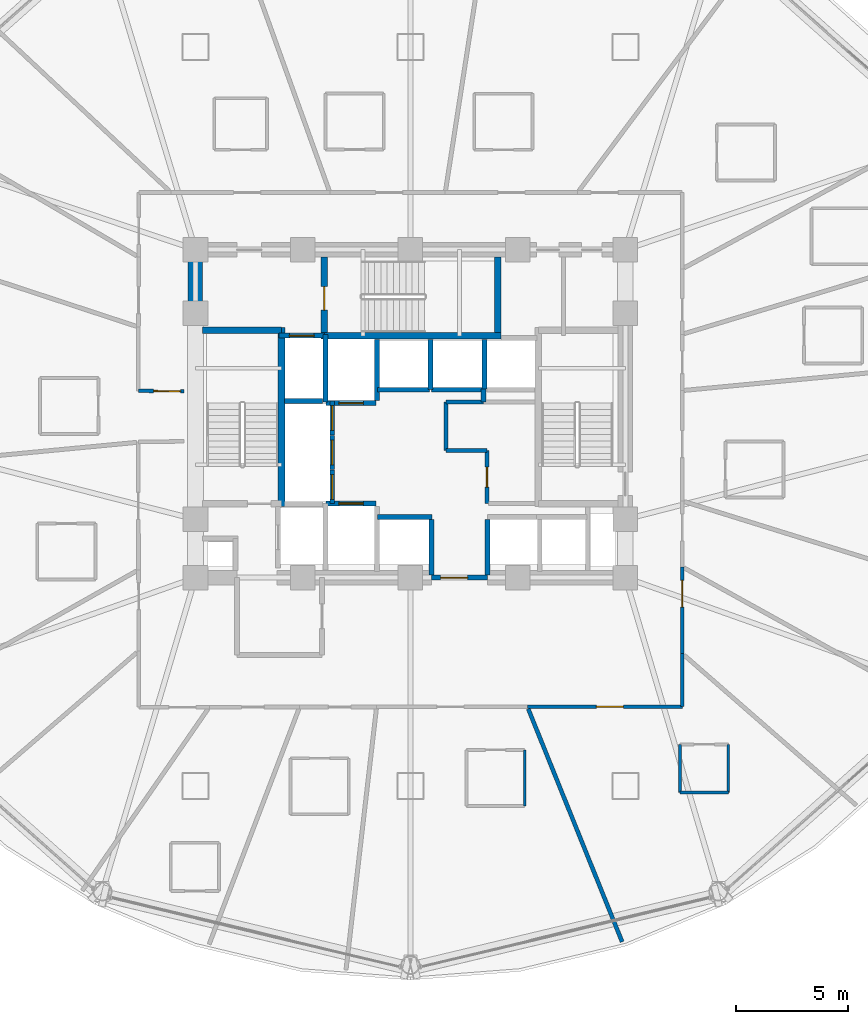
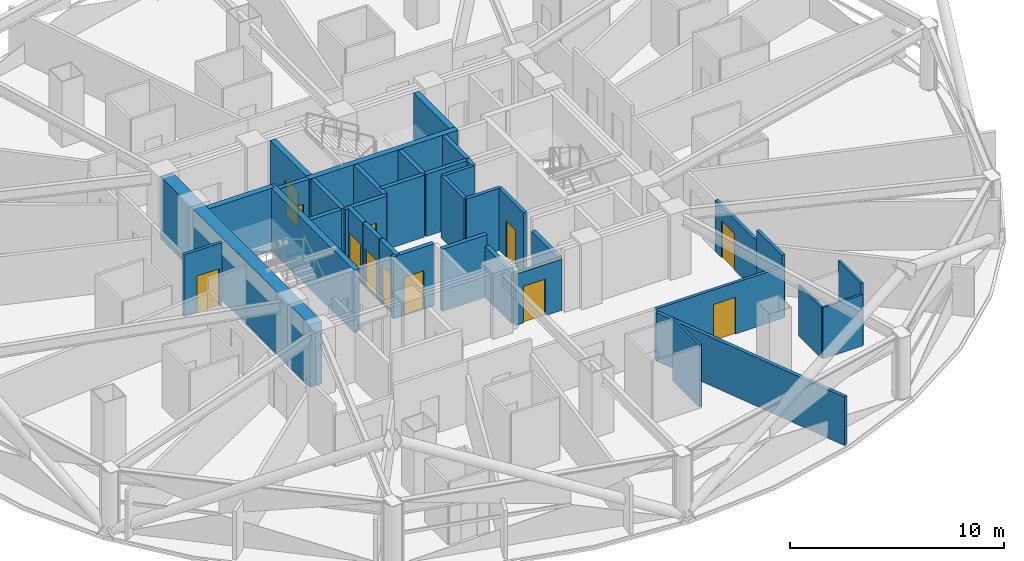
# One storey, part 23 of 30: 37 walls, 12 doors, 12 openings.
"""IFC4 building model written with IfcOpenShell, lengths in metres."""

from ifc_helpers import new_model, si_unit, direction, frame, frame_2d, origin, place, context, subcontext, project, spatial, rectangle, extrude, material, layer, layer_set, type_object, element, fill, save


model = new_model("IFC4")

# Units and contexts
model_context = context("Model", 3, precision=1e-05, world=origin(), true_north=direction((0.0, 1.0)))
body_context = subcontext(model_context, "Body", "Model", "MODEL_VIEW")
ifc_project = project(units=[si_unit("LENGTHUNIT", "METRE"), si_unit("AREAUNIT", "SQUARE_METRE"), si_unit("VOLUMEUNIT", "CUBIC_METRE"), si_unit("PLANEANGLEUNIT", "RADIAN"), si_unit("MASSUNIT", "GRAM", prefix="KILO")], contexts=[model_context])

# Site, building, storey
site_placement = place(None, origin())
site = spatial("IfcSite", under=ifc_project, at=site_placement, CompositionType="ELEMENT")
building_placement = place(site_placement, origin())
building = spatial("IfcBuilding", under=site, at=building_placement, Name="Vantalir Tower", CompositionType="ELEMENT")
storey_placement = place(building_placement, frame((0.0, 0.0, 79.5)))
storey = spatial("IfcBuildingStorey", under=building, at=storey_placement, Name="L19", CompositionType="ELEMENT", Elevation=79.5)

# Walls
ifc_material_1 = material(Name="Moisture-resistant en-suite partition", Category="gypsum")
ifc_layer_1 = layer(ifc_material_1, 0.125)
ifc_layer_set_1 = layer_set([ifc_layer_1], Name="Moisture-resistant en-suite partition")
wall_type_1 = type_object("IfcWallType", Name="WL-BATH-125", PredefinedType="PARTITIONING", material=ifc_layer_set_1)
wall_1_placement = place(storey_placement, frame((36.60302734375, 7.60595703125, 0.0), z_axis=(0.0, 0.0, 1.0), x_axis=(0.0, 1.0, 0.0)))
element("IfcWall", 1, at=wall_1_placement, inside=storey, type_object=wall_type_1, Name="L19 En-suite 15 East Wall", PredefinedType="PARTITIONING", context=body_context, shape_type="SweptSolid", body=[
    extrude(rectangle(XDim=2.5, YDim=0.125, at=frame_2d((1.25, 0.0))), origin(), (0.0, 0.0, 1.0), 3.550048828125),
])
for number, where, z_axis, x_axis, name in (
    (2, (43.544921875, 8.201904296875, 0.0), (0.0, 0.0, 1.0), (1.0, 0.0, 0.0), "L19 En-suite 16 South Wall"),
    (3, (43.544921875, 8.201904296875, 0.0), (0.0, 0.0, 1.0), (0.0, 1.0, 0.0), "L19 En-suite 16 West Wall"),
):
    element("IfcWall", number, at=place(storey_placement, frame(where, z_axis=z_axis, x_axis=x_axis)), inside=storey, type_object=wall_type_1, Name=name, PredefinedType="PARTITIONING", context=body_context, shape_type="SweptSolid", body=[
        extrude(rectangle(XDim=2.150146484375, YDim=0.125, at=frame_2d((1.0751953125, 0.0))), origin(), (0.0, 0.0, 1.0), 2.927978515625),
    ])
wall_2_placement = place(storey_placement, frame((45.695068359375, 8.201904296875, 0.0), z_axis=(0.0, 0.0, 1.0), x_axis=(0.0, 1.0, 0.0)))
element("IfcWall", 4, at=wall_2_placement, inside=storey, type_object=wall_type_1, Name="L19 En-suite 16 East Wall", PredefinedType="PARTITIONING", context=body_context, shape_type="SweptSolid", body=[
    extrude(rectangle(XDim=2.150146484375, YDim=0.125, at=frame_2d((1.0751953125, 0.0))), origin(), (0.0, 0.0, 1.0), 3.550048828125),
])
ifc_material_2 = material(Name="Concrete C60/75", Category="concrete")
ifc_layer_2 = layer(ifc_material_2, 0.64990234375)
ifc_layer_set_2 = layer_set([ifc_layer_2], Name="Concrete C60/75")
wall_type_2 = type_object("IfcWallType", Name="WL-CORE-650", PredefinedType="SHEAR", material=ifc_layer_set_2)
wall_3_placement = place(storey_placement, frame((21.89990234375, 18.125, 0.0), z_axis=(0.0, 0.0, 1.0), x_axis=(0.0, 1.0, 0.0)))
element("IfcWall", 5, at=wall_3_placement, inside=storey, type_object=wall_type_2, Name="L19 Core Shear Wall West", PredefinedType="SHEAR", context=body_context, shape_type="SweptSolid", body=[
    extrude(rectangle(XDim=14.0, YDim=0.64990234375, at=frame_2d((7.0, 0.0))), origin(), (0.0, 0.0, 1.0), 3.570068359375),
])

# Wall, opening, door
ifc_material_3 = material(Name="Fire-rated hotel corridor acoustic partition", Category="gypsum")
ifc_layer_3 = layer(ifc_material_3, 0.159912109375)
ifc_layer_set_3 = layer_set([ifc_layer_3], Name="Fire-rated hotel corridor acoustic partition")
wall_type_3 = type_object("IfcWallType", Name="WL-CORR-160", PredefinedType="PARTITIONING", material=ifc_layer_set_3)
wall_4_placement = place(storey_placement, frame((21.39501953125, 26.117919921875, 0.0), z_axis=(0.0, 0.0, 1.0), x_axis=(-0.999930307049, 0.011805975003, 0.0)))
wall_4 = element("IfcWall", 6, at=wall_4_placement, inside=storey, type_object=wall_type_3, Name="L19 Corridor Partition 01", PredefinedType="PARTITIONING", context=body_context, shape_type="SweptSolid", body=[
    extrude(rectangle(XDim=2.04736328125, YDim=0.159912109375, at=frame_2d((1.023681640625, 0.0))), origin(), (0.0, 0.0, 1.0), 3.550048828125),
])
opening_1_placement = place(wall_4_placement, frame((0.159912109375, 0.0, 0.0)))
opening_1 = element("IfcOpeningElement", 7, at=opening_1_placement, cuts=wall_4, Name="Opening D-STE", PredefinedType="OPENING", context=body_context, shape_type="SweptSolid", body=[
    extrude(rectangle(XDim=1.199951171875, YDim=2.10009765625, at=frame_2d((0.60009765625, 1.050048828125))), frame((0.0, 0.08984375, 0.0), z_axis=(0.0, -1.0, 0.0), x_axis=(1.0, 0.0, 0.0)), (0.0, 0.0, 1.0), 0.179931640625),
])
ifc_material_4 = material(Name="Solid-core teak veneer suite entrance door", Category="wood")
door_type_1 = type_object("IfcDoorType", Name="DR-SUITE-ENTRY-1200", OperationType="NOTDEFINED", PredefinedType="DOOR", material=ifc_material_4)
door_1_placement = place(opening_1_placement, origin())
door_1 = element("IfcDoor", 8, at=door_1_placement, inside=storey, type_object=door_type_1, Name="L19 Corner Panorama Hotel Suite 09 Door", OperationType="SINGLE_SWING_LEFT", OverallHeight=2.10009765625, OverallWidth=1.199951171875, PredefinedType="DOOR", context=body_context, shape_type="SweptSolid", body=[
    extrude(rectangle(XDim=1.199951171875, YDim=2.10009765625, at=frame_2d((0.60009765625, 1.050048828125))), frame((0.0, 0.02490234375, 0.0), z_axis=(0.0, -1.0, 0.0), x_axis=(1.0, 0.0, 0.0)), (0.0, 0.0, 1.0), 0.050048828125),
])
fill(opening_1, door_1)

wall_5_placement = place(storey_placement, frame((43.64306640625, 18.279052734375, 0.0), z_axis=(0.0, 0.0, 1.0), x_axis=(0.000756429436, -0.999999713907, 0.0)))
wall_5 = element("IfcWall", 9, at=wall_5_placement, inside=storey, type_object=wall_type_3, Name="L19 Corridor Partition 15", PredefinedType="PARTITIONING", context=body_context, shape_type="SweptSolid", body=[
    extrude(rectangle(XDim=3.873046875, YDim=0.159912109375, at=frame_2d((1.9365234375, 0.0))), origin(), (0.0, 0.0, 1.0), 2.927978515625),
])
opening_2_placement = place(wall_5_placement, frame((0.60107421875, 0.0, 0.0)))
opening_2 = element("IfcOpeningElement", 10, at=opening_2_placement, cuts=wall_5, Name="Opening D-STE", PredefinedType="OPENING", context=body_context, shape_type="SweptSolid", body=[
    extrude(rectangle(XDim=1.199951171875, YDim=2.10009765625, at=frame_2d((0.60009765625, 1.050048828125))), frame((0.0, 0.08984375, 0.0), z_axis=(0.0, -1.0, 0.0), x_axis=(1.0, 0.0, 0.0)), (0.0, 0.0, 1.0), 0.179931640625),
])
door_2_placement = place(opening_2_placement, origin())
door_2 = element("IfcDoor", 11, at=door_2_placement, inside=storey, type_object=door_type_1, Name="L19 Club Reading Lounge 17 Door", OperationType="SINGLE_SWING_LEFT", OverallHeight=2.10009765625, OverallWidth=1.199951171875, PredefinedType="DOOR", context=body_context, shape_type="SweptSolid", body=[
    extrude(rectangle(XDim=1.199951171875, YDim=2.10009765625, at=frame_2d((0.60009765625, 1.050048828125))), frame((0.0, 0.02490234375, 0.0), z_axis=(0.0, -1.0, 0.0), x_axis=(1.0, 0.0, 0.0)), (0.0, 0.0, 1.0), 0.050048828125),
])
fill(opening_2, door_2)

# Wall
wall_6_placement = place(storey_placement, frame((43.64599609375, 14.406005859375, 0.0), z_axis=(0.0, 0.0, 1.0), x_axis=(0.00082338383, -0.999999661019, 0.0)))
element("IfcWall", 12, at=wall_6_placement, inside=storey, type_object=wall_type_3, Name="L19 Corridor Partition 16", PredefinedType="PARTITIONING", context=body_context, shape_type="SweptSolid", body=[
    extrude(rectangle(XDim=2.3720703125, YDim=0.159912109375, at=frame_2d((1.18603515625, 0.0))), origin(), (0.0, 0.0, 1.0), 3.550048828125),
])

# Wall, opening, door
wall_7_placement = place(storey_placement, frame((43.64794921875, 12.033935546875, 0.0), z_axis=(0.0, 0.0, 1.0), x_axis=(-0.999999751123, -0.000705516968, 0.0)))
wall_7 = element("IfcWall", 13, at=wall_7_placement, inside=storey, type_object=wall_type_3, Name="L19 Corridor Partition 17", PredefinedType="PARTITIONING", context=body_context, shape_type="SweptSolid", body=[
    extrude(rectangle(XDim=6.9208984375, YDim=0.159912109375, at=frame_2d((3.46044921875, 0.0))), origin(), (0.0, 0.0, 1.0), 2.927978515625),
])
opening_3_placement = place(wall_7_placement, frame((2.64208984375, 0.0, 0.0)))
opening_3 = element("IfcOpeningElement", 14, at=opening_3_placement, cuts=wall_7, Name="Opening D-STE", PredefinedType="OPENING", context=body_context, shape_type="SweptSolid", body=[
    extrude(rectangle(XDim=1.199951171875, YDim=2.10009765625, at=frame_2d((0.60009765625, 1.050048828125))), frame((0.0, 0.08984375, 0.0), z_axis=(0.0, -1.0, 0.0), x_axis=(1.0, 0.0, 0.0)), (0.0, 0.0, 1.0), 0.179931640625),
])
door_3_placement = place(opening_3_placement, origin())
door_3 = element("IfcDoor", 15, at=door_3_placement, inside=storey, type_object=door_type_1, Name="L19 Executive Club Hotel Suite 16 Door", OperationType="SINGLE_SWING_RIGHT", OverallHeight=2.10009765625, OverallWidth=1.199951171875, PredefinedType="DOOR", context=body_context, shape_type="SweptSolid", body=[
    extrude(rectangle(XDim=1.199951171875, YDim=2.10009765625, at=frame_2d((0.60009765625, 1.050048828125))), frame((0.0, 0.02490234375, 0.0), z_axis=(0.0, -1.0, 0.0), x_axis=(1.0, 0.0, 0.0)), (0.0, 0.0, 1.0), 0.050048828125),
])
fill(opening_3, door_3)

# Walls
ifc_material_5 = material(Name="Concrete blockwork with fireboard lining", Category="masonry")
ifc_layer_4 = layer(ifc_material_5, 0.219970703125)
ifc_layer_set_4 = layer_set([ifc_layer_4], Name="Concrete blockwork with fireboard lining")
wall_type_4 = type_object("IfcWallType", Name="WL-FFL-220", PredefinedType="PARTITIONING", material=ifc_layer_set_4)
for number, where, z_axis, x_axis, name in (
    (16, (32.449951171875, 17.919921875, 0.0), (0.0, 0.0, 1.0), (0.0, 1.0, 0.0), "L19 Shuttle Lift PL-X1 East Shaft Cheek"),
    (17, (34.949951171875, 17.919921875, 0.0), (0.0, 0.0, 1.0), (0.0, 1.0, 0.0), "L19 Shuttle Lift PL-X3 West Shaft Cheek"),
):
    element("IfcWall", number, at=place(storey_placement, frame(where, z_axis=z_axis, x_axis=x_axis)), inside=storey, type_object=wall_type_4, Name=name, PredefinedType="PARTITIONING", context=body_context, shape_type="SweptSolid", body=[
        extrude(rectangle(XDim=2.469970703125, YDim=0.219970703125, at=frame_2d((1.23486328125, 0.0))), origin(), (0.0, 0.0, 1.0), 2.927978515625),
    ])
wall_8_placement = place(storey_placement, frame((30.0, 25.7099609375, 0.0), z_axis=(0.0, 0.0, 1.0), x_axis=(0.0, 1.0, 0.0)))
element("IfcWall", 18, at=wall_8_placement, inside=storey, type_object=wall_type_4, Name="L19 Service Lift SV2 East Shaft Wall", PredefinedType="PARTITIONING", context=body_context, shape_type="SweptSolid", body=[
    extrude(rectangle(XDim=2.72998046875, YDim=0.219970703125, at=frame_2d((1.364990234375, 0.0))), origin(), (0.0, 0.0, 1.0), 3.544921875),
])
wall_9_placement = place(storey_placement, frame((32.39990234375, 26.199951171875, 0.0), z_axis=(0.0, 0.0, 1.0), x_axis=(0.0, 1.0, 0.0)))
element("IfcWall", 19, at=wall_9_placement, inside=storey, type_object=wall_type_4, Name="L19 High-Rise Lift PL-H1/H2 Shaft Divider", PredefinedType="PARTITIONING", context=body_context, shape_type="SweptSolid", body=[
    extrude(rectangle(XDim=2.239990234375, YDim=0.219970703125, at=frame_2d((1.1201171875, 0.0))), origin(), (0.0, 0.0, 1.0), 3.544921875),
])
wall_10_placement = place(storey_placement, frame((34.800048828125, 26.22998046875, 0.0), z_axis=(0.0, 0.0, 1.0), x_axis=(0.0, 1.0, 0.0)))
element("IfcWall", 20, at=wall_10_placement, inside=storey, type_object=wall_type_4, Name="L19 High-Rise Lift PL-H2/H3 Shaft Divider", PredefinedType="PARTITIONING", context=body_context, shape_type="SweptSolid", body=[
    extrude(rectangle(XDim=2.2099609375, YDim=0.219970703125, at=frame_2d((1.10498046875, 0.0))), origin(), (0.0, 0.0, 1.0), 3.544921875),
])

# Wall, opening, door
wall_11_placement = place(storey_placement, frame((32.449951171875, 17.800048828125, 0.0), z_axis=(0.0, 0.0, 1.0), x_axis=(1.0, 0.0, 0.0)))
wall_11 = element("IfcWall", 21, at=wall_11_placement, inside=storey, type_object=wall_type_4, Name="L19 Passenger Lift Lobby South Wall", PredefinedType="PARTITIONING", context=body_context, shape_type="SweptSolid", body=[
    extrude(rectangle(XDim=2.5, YDim=0.219970703125, at=frame_2d((1.25, 0.0))), origin(), (0.0, 0.0, 1.0), 2.927978515625),
])
opening_4_placement = place(wall_11_placement, frame((0.39990234375, 0.0, 0.0)))
opening_4 = element("IfcOpeningElement", 22, at=opening_4_placement, cuts=wall_11, Name="Opening D-STE", PredefinedType="OPENING", context=body_context, shape_type="SweptSolid", body=[
    extrude(rectangle(XDim=1.199951171875, YDim=2.10009765625, at=frame_2d((0.60009765625, 1.050048828125))), frame((0.0, 0.119873046875, 0.0), z_axis=(0.0, -1.0, 0.0), x_axis=(1.0, 0.0, 0.0)), (0.0, 0.0, 1.0), 0.239990234375),
])
door_4_placement = place(opening_4_placement, origin())
door_4 = element("IfcDoor", 23, at=door_4_placement, inside=storey, type_object=door_type_1, Name="L19 Passenger Lift Lobby Concourse Door", OperationType="SINGLE_SWING_RIGHT", OverallHeight=2.10009765625, OverallWidth=1.199951171875, PredefinedType="DOOR", context=body_context, shape_type="SweptSolid", body=[
    extrude(rectangle(XDim=1.199951171875, YDim=2.10009765625, at=frame_2d((0.60009765625, 1.050048828125))), frame((0.0, 0.02490234375, 0.0), z_axis=(0.0, -1.0, 0.0), x_axis=(1.0, 0.0, 0.0)), (0.0, 0.0, 1.0), 0.050048828125),
])
fill(opening_4, door_4)

wall_12_placement = place(storey_placement, frame((25.639892578125, 28.610107421875, 0.0), z_axis=(0.0, 0.0, 1.0), x_axis=(1.0, 0.0, 0.0)))
wall_12 = element("IfcWall", 24, at=wall_12_placement, inside=storey, type_object=wall_type_4, Name="L19 Lift FL2 Shaft Front Wall", PredefinedType="PARTITIONING", context=body_context, shape_type="SweptSolid", body=[
    extrude(rectangle(XDim=2.02001953125, YDim=0.219970703125, at=frame_2d((1.010009765625, 0.0))), origin(), (0.0, 0.0, 1.0), 3.550048828125),
])
opening_5_placement = place(wall_12_placement, frame((0.4599609375, 0.0, 0.0)))
opening_5 = element("IfcOpeningElement", 25, at=opening_5_placement, cuts=wall_12, Name="Opening LD-FL2", PredefinedType="OPENING", context=body_context, shape_type="SweptSolid", body=[
    extrude(rectangle(XDim=1.10009765625, YDim=2.199951171875, at=frame_2d((0.550048828125, 1.10009765625))), frame((0.0, 0.119873046875, 0.0), z_axis=(0.0, -1.0, 0.0), x_axis=(1.0, 0.0, 0.0)), (0.0, 0.0, 1.0), 0.239990234375),
])
ifc_material_6 = material(Name="Brushed stainless-steel sliding lift landing door", Category="steel")
door_type_2 = type_object("IfcDoorType", Name="DR-LIFT-LANDING-1100", OperationType="DOUBLE_DOOR_SLIDING", PredefinedType="DOOR", material=ifc_material_6)
door_5_placement = place(opening_5_placement, origin())
door_5 = element("IfcDoor", 26, at=door_5_placement, inside=storey, type_object=door_type_2, Name="L19 Lift Landing Door FL2", OperationType="DOUBLE_DOOR_SLIDING", OverallHeight=2.199951171875, OverallWidth=1.10009765625, PredefinedType="DOOR", context=body_context, shape_type="SweptSolid", body=[
    extrude(rectangle(XDim=1.10009765625, YDim=2.199951171875, at=frame_2d((0.550048828125, 1.10009765625))), frame((0.0, 0.02490234375, 0.0), z_axis=(0.0, -1.0, 0.0), x_axis=(1.0, 0.0, 0.0)), (0.0, 0.0, 1.0), 0.050048828125),
])
fill(opening_5, door_5)

wall_13_placement = place(storey_placement, frame((27.739990234375, 21.110107421875, 0.0), z_axis=(0.0, 0.0, 1.0), x_axis=(1.0, 0.0, 0.0)))
wall_13 = element("IfcWall", 27, at=wall_13_placement, inside=storey, type_object=wall_type_4, Name="L19 Lift SV1 Shaft Front Wall", PredefinedType="PARTITIONING", context=body_context, shape_type="SweptSolid", body=[
    extrude(rectangle(XDim=2.219970703125, YDim=0.219970703125, at=frame_2d((1.10986328125, 0.0))), origin(), (0.0, 0.0, 1.0), 3.550048828125),
])
opening_6_placement = place(wall_13_placement, frame((0.56005859375, 0.0, 0.0)))
opening_6 = element("IfcOpeningElement", 28, at=opening_6_placement, cuts=wall_13, Name="Opening LD-SV1", PredefinedType="OPENING", context=body_context, shape_type="SweptSolid", body=[
    extrude(rectangle(XDim=1.10009765625, YDim=2.199951171875, at=frame_2d((0.550048828125, 1.10009765625))), frame((0.0, 0.119873046875, 0.0), z_axis=(0.0, -1.0, 0.0), x_axis=(1.0, 0.0, 0.0)), (0.0, 0.0, 1.0), 0.239990234375),
])
door_6_placement = place(opening_6_placement, origin())
door_6 = element("IfcDoor", 29, at=door_6_placement, inside=storey, type_object=door_type_2, Name="L19 Lift Landing Door SV1", OperationType="DOUBLE_DOOR_SLIDING", OverallHeight=2.199951171875, OverallWidth=1.10009765625, PredefinedType="DOOR", context=body_context, shape_type="SweptSolid", body=[
    extrude(rectangle(XDim=1.10009765625, YDim=2.199951171875, at=frame_2d((0.550048828125, 1.10009765625))), frame((0.0, 0.02490234375, 0.0), z_axis=(0.0, -1.0, 0.0), x_axis=(1.0, 0.0, 0.0)), (0.0, 0.0, 1.0), 0.050048828125),
])
fill(opening_6, door_6)

wall_14_placement = place(storey_placement, frame((27.739990234375, 25.590087890625, 0.0), z_axis=(0.0, 0.0, 1.0), x_axis=(1.0, 0.0, 0.0)))
wall_14 = element("IfcWall", 30, at=wall_14_placement, inside=storey, type_object=wall_type_4, Name="L19 Lift SV2 Shaft Front Wall", PredefinedType="PARTITIONING", context=body_context, shape_type="SweptSolid", body=[
    extrude(rectangle(XDim=2.219970703125, YDim=0.219970703125, at=frame_2d((1.10986328125, 0.0))), origin(), (0.0, 0.0, 1.0), 3.550048828125),
])
opening_7_placement = place(wall_14_placement, frame((0.56005859375, 0.0, 0.0)))
opening_7 = element("IfcOpeningElement", 31, at=opening_7_placement, cuts=wall_14, Name="Opening LD-SV2", PredefinedType="OPENING", context=body_context, shape_type="SweptSolid", body=[
    extrude(rectangle(XDim=1.10009765625, YDim=2.199951171875, at=frame_2d((0.550048828125, 1.10009765625))), frame((0.0, 0.119873046875, 0.0), z_axis=(0.0, -1.0, 0.0), x_axis=(1.0, 0.0, 0.0)), (0.0, 0.0, 1.0), 0.239990234375),
])
door_7_placement = place(opening_7_placement, frame((1.10009765625, 0.0, 0.0), z_axis=(0.0, 0.0, 1.0), x_axis=(-1.0, 0.0, 0.0)))
door_7 = element("IfcDoor", 32, at=door_7_placement, inside=storey, type_object=door_type_2, Name="L19 Lift Landing Door SV2", OperationType="DOUBLE_DOOR_SLIDING", OverallHeight=2.199951171875, OverallWidth=1.10009765625, PredefinedType="DOOR", context=body_context, shape_type="SweptSolid", body=[
    extrude(rectangle(XDim=1.10009765625, YDim=2.199951171875, at=frame_2d((0.550048828125, 1.10009765625))), frame((0.0, 0.02490234375, 0.0), z_axis=(0.0, -1.0, 0.0), x_axis=(1.0, 0.0, 0.0)), (0.0, 0.0, 1.0), 0.050048828125),
])
fill(opening_7, door_7)

# Walls
wall_15_placement = place(storey_placement, frame((30.0400390625, 20.510009765625, 0.0), z_axis=(0.0, 0.0, 1.0), x_axis=(1.0, 0.0, 0.0)))
element("IfcWall", 33, at=wall_15_placement, inside=storey, type_object=wall_type_4, Name="L19 Lift PL-X1 Shaft Front Wall", PredefinedType="PARTITIONING", context=body_context, shape_type="SweptSolid", body=[
    extrude(rectangle(XDim=2.419921875, YDim=0.219970703125, at=frame_2d((1.2099609375, 0.0))), origin(), (0.0, 0.0, 1.0), 3.550048828125),
])
for number, where, z_axis, x_axis, name in (
    (34, (30.0400390625, 26.18994140625, 0.0), (0.0, 0.0, 1.0), (1.0, 0.0, 0.0), "L19 Lift PL-H1 Shaft Front Wall"),
    (35, (32.43994140625, 26.18994140625, 0.0), (0.0, 0.0, 1.0), (1.0, 0.0, 0.0), "L19 Lift PL-H2 Shaft Front Wall"),
):
    element("IfcWall", number, at=place(storey_placement, frame(where, z_axis=z_axis, x_axis=x_axis)), inside=storey, type_object=wall_type_4, Name=name, PredefinedType="PARTITIONING", context=body_context, shape_type="SweptSolid", body=[
        extrude(rectangle(XDim=2.320068359375, YDim=0.219970703125, at=frame_2d((1.16015625, 0.0))), origin(), (0.0, 0.0, 1.0), 3.550048828125),
    ])

# Wall, opening, door
wall_16_placement = place(storey_placement, frame((28.010009765625, 21.10009765625, 0.0), z_axis=(0.0, 0.0, 1.0), x_axis=(0.0, 1.0, 0.0)))
wall_16 = element("IfcWall", 36, at=wall_16_placement, inside=storey, type_object=wall_type_4, Name="L19 Lift PL-L1 Shaft Front Wall", PredefinedType="PARTITIONING", context=body_context, shape_type="SweptSolid", body=[
    extrude(rectangle(XDim=1.5, YDim=0.219970703125, at=frame_2d((0.75, 0.0))), origin(), (0.0, 0.0, 1.0), 3.550048828125),
])
opening_8_placement = place(wall_16_placement, frame((0.199951171875, 0.0, 0.0)))
opening_8 = element("IfcOpeningElement", 37, at=opening_8_placement, cuts=wall_16, Name="Opening LD-PL-L1", PredefinedType="OPENING", context=body_context, shape_type="SweptSolid", body=[
    extrude(rectangle(XDim=1.10009765625, YDim=2.199951171875, at=frame_2d((0.550048828125, 1.10009765625))), frame((0.0, 0.119873046875, 0.0), z_axis=(0.0, -1.0, 0.0), x_axis=(1.0, 0.0, 0.0)), (0.0, 0.0, 1.0), 0.239990234375),
])
door_8_placement = place(opening_8_placement, frame((1.10009765625, 0.0, 0.0), z_axis=(0.0, 0.0, 1.0), x_axis=(-1.0, 0.0, 0.0)))
door_8 = element("IfcDoor", 38, at=door_8_placement, inside=storey, type_object=door_type_2, Name="L19 Lift Landing Door PL-L1", OperationType="DOUBLE_DOOR_SLIDING", OverallHeight=2.199951171875, OverallWidth=1.10009765625, PredefinedType="DOOR", context=body_context, shape_type="SweptSolid", body=[
    extrude(rectangle(XDim=1.10009765625, YDim=2.199951171875, at=frame_2d((0.550048828125, 1.10009765625))), frame((0.0, 0.02490234375, 0.0), z_axis=(0.0, -1.0, 0.0), x_axis=(1.0, 0.0, 0.0)), (0.0, 0.0, 1.0), 0.050048828125),
])
fill(opening_8, door_8)

wall_17_placement = place(storey_placement, frame((28.010009765625, 22.639892578125, 0.0), z_axis=(0.0, 0.0, 1.0), x_axis=(0.0, 1.0, 0.0)))
wall_17 = element("IfcWall", 39, at=wall_17_placement, inside=storey, type_object=wall_type_4, Name="L19 Lift PL-L2 Shaft Front Wall", PredefinedType="PARTITIONING", context=body_context, shape_type="SweptSolid", body=[
    extrude(rectangle(XDim=1.5, YDim=0.219970703125, at=frame_2d((0.75, 0.0))), origin(), (0.0, 0.0, 1.0), 3.550048828125),
])
opening_9_placement = place(wall_17_placement, frame((0.199951171875, 0.0, 0.0)))
opening_9 = element("IfcOpeningElement", 40, at=opening_9_placement, cuts=wall_17, Name="Opening LD-PL-L2", PredefinedType="OPENING", context=body_context, shape_type="SweptSolid", body=[
    extrude(rectangle(XDim=1.10009765625, YDim=2.199951171875, at=frame_2d((0.550048828125, 1.10009765625))), frame((0.0, 0.119873046875, 0.0), z_axis=(0.0, -1.0, 0.0), x_axis=(1.0, 0.0, 0.0)), (0.0, 0.0, 1.0), 0.239990234375),
])
door_9_placement = place(opening_9_placement, frame((1.10009765625, 0.0, 0.0), z_axis=(0.0, 0.0, 1.0), x_axis=(-1.0, 0.0, 0.0)))
door_9 = element("IfcDoor", 41, at=door_9_placement, inside=storey, type_object=door_type_2, Name="L19 Lift Landing Door PL-L2", OperationType="DOUBLE_DOOR_SLIDING", OverallHeight=2.199951171875, OverallWidth=1.10009765625, PredefinedType="DOOR", context=body_context, shape_type="SweptSolid", body=[
    extrude(rectangle(XDim=1.10009765625, YDim=2.199951171875, at=frame_2d((0.550048828125, 1.10009765625))), frame((0.0, 0.02490234375, 0.0), z_axis=(0.0, -1.0, 0.0), x_axis=(1.0, 0.0, 0.0)), (0.0, 0.0, 1.0), 0.050048828125),
])
fill(opening_9, door_9)

wall_18_placement = place(storey_placement, frame((28.010009765625, 24.179931640625, 0.0), z_axis=(0.0, 0.0, 1.0), x_axis=(0.0, 1.0, 0.0)))
wall_18 = element("IfcWall", 42, at=wall_18_placement, inside=storey, type_object=wall_type_4, Name="L19 Lift PL-L3 Shaft Front Wall", PredefinedType="PARTITIONING", context=body_context, shape_type="SweptSolid", body=[
    extrude(rectangle(XDim=1.5, YDim=0.219970703125, at=frame_2d((0.75, 0.0))), origin(), (0.0, 0.0, 1.0), 3.550048828125),
])
opening_10_placement = place(wall_18_placement, frame((0.199951171875, 0.0, 0.0)))
opening_10 = element("IfcOpeningElement", 43, at=opening_10_placement, cuts=wall_18, Name="Opening LD-PL-L3", PredefinedType="OPENING", context=body_context, shape_type="SweptSolid", body=[
    extrude(rectangle(XDim=1.10009765625, YDim=2.199951171875, at=frame_2d((0.550048828125, 1.10009765625))), frame((0.0, 0.119873046875, 0.0), z_axis=(0.0, -1.0, 0.0), x_axis=(1.0, 0.0, 0.0)), (0.0, 0.0, 1.0), 0.239990234375),
])
door_10_placement = place(opening_10_placement, frame((1.10009765625, 0.0, 0.0), z_axis=(0.0, 0.0, 1.0), x_axis=(-1.0, 0.0, 0.0)))
door_10 = element("IfcDoor", 44, at=door_10_placement, inside=storey, type_object=door_type_2, Name="L19 Lift Landing Door PL-L3", OperationType="DOUBLE_DOOR_SLIDING", OverallHeight=2.199951171875, OverallWidth=1.10009765625, PredefinedType="DOOR", context=body_context, shape_type="SweptSolid", body=[
    extrude(rectangle(XDim=1.10009765625, YDim=2.199951171875, at=frame_2d((0.550048828125, 1.10009765625))), frame((0.0, 0.02490234375, 0.0), z_axis=(0.0, -1.0, 0.0), x_axis=(1.0, 0.0, 0.0)), (0.0, 0.0, 1.0), 0.050048828125),
])
fill(opening_10, door_10)

# Walls
wall_19_placement = place(storey_placement, frame((27.699951171875, 25.64990234375, 0.0), z_axis=(0.0, 0.0, 1.0), x_axis=(0.0, 1.0, 0.0)))
element("IfcWall", 45, at=wall_19_placement, inside=storey, type_object=wall_type_4, Name="L19 Fire Lift FL2 Dividing Wall", PredefinedType="PARTITIONING", context=body_context, shape_type="SweptSolid", body=[
    extrude(rectangle(XDim=3.0, YDim=0.219970703125, at=frame_2d((1.5, 0.0))), origin(), (0.0, 0.0, 1.0), 3.550048828125),
])
wall_20_placement = place(storey_placement, frame((25.8798828125, 25.679931640625, 0.0), z_axis=(0.0, 0.0, 1.0), x_axis=(1.0, 0.0, 0.0)))
element("IfcWall", 46, at=wall_20_placement, inside=storey, type_object=wall_type_4, Name="L19 Low-Rise Bank North Wall", PredefinedType="PARTITIONING", context=body_context, shape_type="SweptSolid", body=[
    extrude(rectangle(XDim=1.7001953125, YDim=0.219970703125, at=frame_2d((0.85009765625, 0.0))), origin(), (0.0, 0.0, 1.0), 3.550048828125),
])
wall_21_placement = place(storey_placement, frame((34.760009765625, 25.64990234375, 0.0), z_axis=(0.0, 0.0, 1.0), x_axis=(0.0, 1.0, 0.0)))
element("IfcWall", 47, at=wall_21_placement, inside=storey, type_object=wall_type_4, Name="L19 High-Rise Shaft Shoulder Wall", PredefinedType="PARTITIONING", context=body_context, shape_type="SweptSolid", body=[
    extrude(rectangle(XDim=0.570068359375, YDim=0.219970703125, at=frame_2d((0.28515625, 0.0))), origin(), (0.0, 0.0, 1.0), 3.550048828125),
])
ifc_material_7 = material(Name="Twin-stud acoustic fire-rated gypsum partition", Category="gypsum")
ifc_layer_5 = layer(ifc_material_7, 0.179931640625)
ifc_layer_set_5 = layer_set([ifc_layer_5], Name="Twin-stud acoustic fire-rated gypsum partition")
wall_type_5 = type_object("IfcWallType", Name="WL-GUEST-180", PredefinedType="PARTITIONING", material=ifc_layer_set_5)
wall_22_placement = place(storey_placement, frame((33.080078125, 25.64990234375, 0.0), z_axis=(0.0, 0.0, 1.0), x_axis=(1.0, 0.0, 0.0)))
element("IfcWall", 48, at=wall_22_placement, inside=storey, type_object=wall_type_5, Name="L19 East Core Alcove North Wall", PredefinedType="PARTITIONING", context=body_context, shape_type="SweptSolid", body=[
    extrude(rectangle(XDim=1.679931640625, YDim=0.179931640625, at=frame_2d((0.83984375, 0.0))), origin(), (0.0, 0.0, 1.0), 3.550048828125),
])
wall_23_placement = place(storey_placement, frame((33.080078125, 23.47998046875, 0.0), z_axis=(0.0, 0.0, 1.0), x_axis=(0.0, 1.0, 0.0)))
element("IfcWall", 49, at=wall_23_placement, inside=storey, type_object=wall_type_5, Name="L19 East Core Alcove West Wall", PredefinedType="PARTITIONING", context=body_context, shape_type="SweptSolid", body=[
    extrude(rectangle(XDim=2.169921875, YDim=0.179931640625, at=frame_2d((1.0849609375, 0.0))), origin(), (0.0, 0.0, 1.0), 3.550048828125),
])
wall_24_placement = place(storey_placement, frame((33.080078125, 23.47998046875, 0.0), z_axis=(0.0, 0.0, 1.0), x_axis=(1.0, 0.0, 0.0)))
element("IfcWall", 50, at=wall_24_placement, inside=storey, type_object=wall_type_5, Name="L19 East Core Alcove South Wall", PredefinedType="PARTITIONING", context=body_context, shape_type="SweptSolid", body=[
    extrude(rectangle(XDim=1.83984375, YDim=0.179931640625, at=frame_2d((0.919921875, 0.0))), origin(), (0.0, 0.0, 1.0), 3.550048828125),
])

# Wall, opening, door
wall_25_placement = place(storey_placement, frame((34.919921875, 21.10009765625, 0.0), z_axis=(0.0, 0.0, 1.0), x_axis=(0.0, 1.0, 0.0)))
wall_25 = element("IfcWall", 51, at=wall_25_placement, inside=storey, type_object=wall_type_5, Name="L19 East Core Lower West Wall", PredefinedType="PARTITIONING", context=body_context, shape_type="SweptSolid", body=[
    extrude(rectangle(XDim=2.3798828125, YDim=0.179931640625, at=frame_2d((1.18994140625, 0.0))), origin(), (0.0, 0.0, 1.0), 3.550048828125),
])
opening_11_placement = place(wall_25_placement, frame((0.739990234375, 0.0, 0.0)))
opening_11 = element("IfcOpeningElement", 52, at=opening_11_placement, cuts=wall_25, Name="Opening D-CR", PredefinedType="OPENING", context=body_context, shape_type="SweptSolid", body=[
    extrude(rectangle(XDim=0.89990234375, YDim=2.10009765625, at=frame_2d((0.449951171875, 1.050048828125))), frame((0.0, 0.099853515625, 0.0), z_axis=(0.0, -1.0, 0.0), x_axis=(1.0, 0.0, 0.0)), (0.0, 0.0, 1.0), 0.199951171875),
])
ifc_material_8 = material(Name="Fire-rated steel core service door", Category="steel")
door_type_3 = type_object("IfcDoorType", Name="DR-CORE-SERV-900", OperationType="NOTDEFINED", PredefinedType="DOOR", material=ifc_material_8)
door_11_placement = place(opening_11_placement, frame((0.89990234375, 0.0, 0.0), z_axis=(0.0, 0.0, 1.0), x_axis=(-1.0, 0.0, 0.0)))
door_11 = element("IfcDoor", 53, at=door_11_placement, inside=storey, type_object=door_type_3, Name="L19 Core Telecoms Door", OperationType="SINGLE_SWING_LEFT", OverallHeight=2.10009765625, OverallWidth=0.89990234375, PredefinedType="DOOR", context=body_context, shape_type="SweptSolid", body=[
    extrude(rectangle(XDim=0.89990234375, YDim=2.10009765625, at=frame_2d((0.449951171875, 1.050048828125))), frame((0.0, 0.02490234375, 0.0), z_axis=(0.0, -1.0, 0.0), x_axis=(1.0, 0.0, 0.0)), (0.0, 0.0, 1.0), 0.050048828125),
])
fill(opening_11, door_11)

# Walls
wall_26_placement = place(storey_placement, frame((36.763916015625, 11.93798828125, 0.0), z_axis=(0.0, 0.0, 1.0), x_axis=(0.373765091029, -0.927523399558, 0.0)))
element("IfcWall", 54, at=wall_26_placement, inside=storey, type_object=wall_type_5, Name="L19 Radial Suite Partition 16", PredefinedType="PARTITIONING", context=body_context, shape_type="SweptSolid", body=[
    extrude(rectangle(XDim=11.216064453125, YDim=0.179931640625, at=frame_2d((5.60791015625, 0.0))), origin(), (0.0, 0.0, 1.0), 2.77490234375),
])
ifc_material_9 = material(Name="Concrete C50/60", Category="concrete")
ifc_layer_6 = layer(ifc_material_9, 0.300048828125)
ifc_layer_set_6 = layer_set([ifc_layer_6], Name="Concrete C50/60")
wall_type_6 = type_object("IfcWallType", Name="WL-STAIR-300", PredefinedType="SHEAR", material=ifc_layer_set_6)
wall_27_placement = place(storey_placement, frame((22.22509765625, 28.85009765625, 0.0), z_axis=(0.0, 0.0, 1.0), x_axis=(1.0, 0.0, 0.0)))
element("IfcWall", 55, at=wall_27_placement, inside=storey, type_object=wall_type_6, Name="L19 Stair ST1 North Wall", PredefinedType="SHEAR", context=body_context, shape_type="SweptSolid", body=[
    extrude(rectangle(XDim=3.514892578125, YDim=0.300048828125, at=frame_2d((1.75732421875, 0.0))), origin(), (0.0, 0.0, 1.0), 3.570068359375),
])
wall_28_placement = place(storey_placement, frame((25.739990234375, 20.97998046875, 0.0), z_axis=(0.0, 0.0, 1.0), x_axis=(0.0, 1.0, 0.0)))
element("IfcWall", 56, at=wall_28_placement, inside=storey, type_object=wall_type_6, Name="L19 Stair ST1 East Wall", PredefinedType="SHEAR", context=body_context, shape_type="SweptSolid", body=[
    extrude(rectangle(XDim=7.989990234375, YDim=0.300048828125, at=frame_2d((3.9951171875, 0.0))), origin(), (0.0, 0.0, 1.0), 3.570068359375),
])
wall_29_placement = place(storey_placement, frame((27.510009765625, 28.60009765625, 0.0), z_axis=(0.0, 0.0, 1.0), x_axis=(1.0, 0.0, 0.0)))
element("IfcWall", 57, at=wall_29_placement, inside=storey, type_object=wall_type_6, Name="L19 Stair ST3 South Wall", PredefinedType="SHEAR", context=body_context, shape_type="SweptSolid", body=[
    extrude(rectangle(XDim=8.030029296875, YDim=0.300048828125, at=frame_2d((4.01513671875, 0.0))), origin(), (0.0, 0.0, 1.0), 3.570068359375),
])

# Wall, opening, door
wall_30_placement = place(storey_placement, frame((27.64990234375, 28.75, 0.0), z_axis=(0.0, 0.0, 1.0), x_axis=(0.0, 1.0, 0.0)))
wall_30 = element("IfcWall", 58, at=wall_30_placement, inside=storey, type_object=wall_type_6, Name="L19 Stair ST3 West Wall", PredefinedType="SHEAR", context=body_context, shape_type="SweptSolid", body=[
    extrude(rectangle(XDim=3.375, YDim=0.300048828125, at=frame_2d((1.6875, 0.0))), origin(), (0.0, 0.0, 1.0), 3.570068359375),
])
opening_12_placement = place(wall_30_placement, frame((1.0, 0.0, 0.0)))
opening_12 = element("IfcOpeningElement", 59, at=opening_12_placement, cuts=wall_30, Name="Opening D-ST", PredefinedType="OPENING", context=body_context, shape_type="SweptSolid", body=[
    extrude(rectangle(XDim=1.050048828125, YDim=2.10009765625, at=frame_2d((0.52490234375, 1.050048828125))), frame((0.0, 0.159912109375, 0.0), z_axis=(0.0, -1.0, 0.0), x_axis=(1.0, 0.0, 0.0)), (0.0, 0.0, 1.0), 0.320068359375),
])
ifc_material_10 = material(Name="Fire-rated steel door leaf", Category="steel")
door_type_4 = type_object("IfcDoorType", Name="DR-FIRE-STAIR-1050", OperationType="NOTDEFINED", PredefinedType="DOOR", material=ifc_material_10)
door_12_placement = place(opening_12_placement, frame((1.050048828125, 0.0, 0.0), z_axis=(0.0, 0.0, 1.0), x_axis=(-1.0, 0.0, 0.0)))
door_12 = element("IfcDoor", 60, at=door_12_placement, inside=storey, type_object=door_type_4, Name="L19 Exit Stair ST3 Fire Door", OperationType="SINGLE_SWING_RIGHT", OverallHeight=2.10009765625, OverallWidth=1.050048828125, PredefinedType="DOOR", context=body_context, shape_type="SweptSolid", body=[
    extrude(rectangle(XDim=1.050048828125, YDim=2.10009765625, at=frame_2d((0.52490234375, 1.050048828125))), frame((0.0, 0.02490234375, 0.0), z_axis=(0.0, -1.0, 0.0), x_axis=(1.0, 0.0, 0.0)), (0.0, 0.0, 1.0), 0.050048828125),
])
fill(opening_12, door_12)

# Wall
wall_31_placement = place(storey_placement, frame((35.39990234375, 28.75, 0.0), z_axis=(0.0, 0.0, 1.0), x_axis=(0.0, 1.0, 0.0)))
element("IfcWall", 61, at=wall_31_placement, inside=storey, type_object=wall_type_6, Name="L19 Stair ST3 East Wall", PredefinedType="SHEAR", context=body_context, shape_type="SweptSolid", body=[
    extrude(rectangle(XDim=3.375, YDim=0.300048828125, at=frame_2d((1.6875, 0.0))), origin(), (0.0, 0.0, 1.0), 3.570068359375),
])

save(model, "model.ifc")
